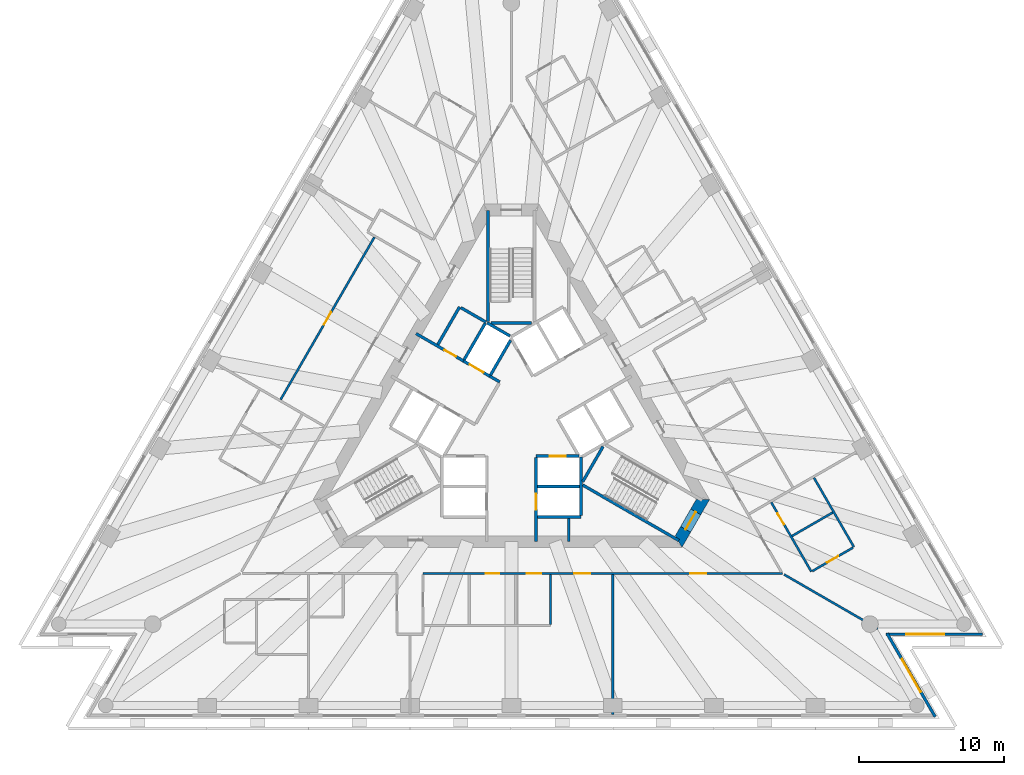
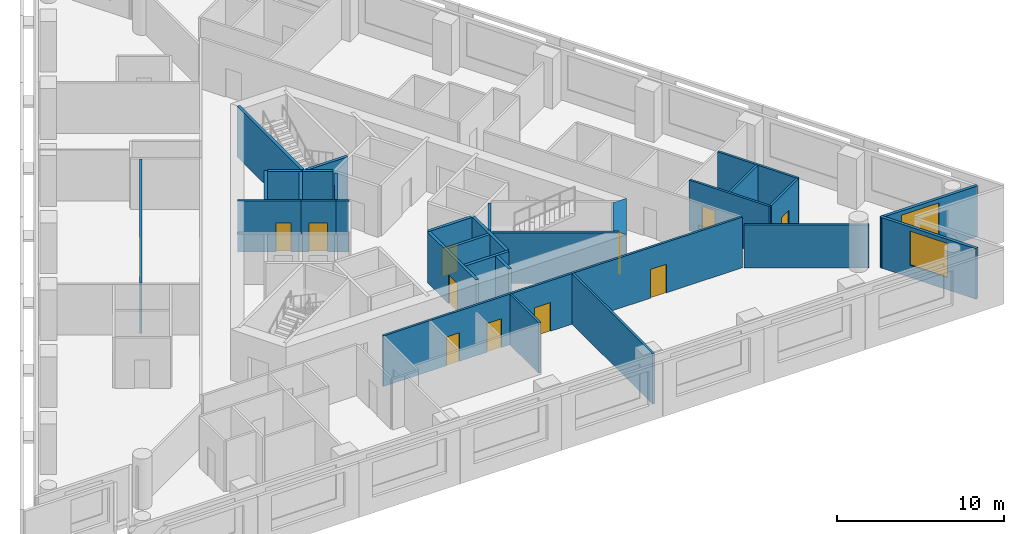
# One storey, part 5 of 10: 30 walls, 12 doors, 2 windows, 14 openings.
"""IFC4 building model written with IfcOpenShell, lengths in metres."""

from ifc_helpers import new_model, si_unit, direction, frame, frame_2d, origin, place, context, subcontext, project, spatial, polyline, rectangle, outline, extrude, material, layer, layer_set, layer_usage, type_object, element, fill, save


model = new_model("IFC4")

# Units and contexts
model_context = context("Model", 3, precision=1e-05, world=origin(), true_north=direction((0.0, 1.0)))
body_context = subcontext(model_context, "Body", "Model", "MODEL_VIEW")
ifc_project = project(units=[si_unit("LENGTHUNIT", "METRE"), si_unit("AREAUNIT", "SQUARE_METRE"), si_unit("VOLUMEUNIT", "CUBIC_METRE"), si_unit("PLANEANGLEUNIT", "RADIAN"), si_unit("MASSUNIT", "GRAM", prefix="KILO")], contexts=[model_context])

# Site, building, storey
site_placement = place(None, origin())
site = spatial("IfcSite", under=ifc_project, at=site_placement, CompositionType="ELEMENT")
building_placement = place(site_placement, origin())
building = spatial("IfcBuilding", under=site, at=building_placement, Name="Triada Interchange Tower", CompositionType="ELEMENT")
storey_placement = place(building_placement, frame((0.0, 0.0, 112.300048828125)))
storey = spatial("IfcBuildingStorey", under=building, at=storey_placement, Name="L25", CompositionType="ELEMENT", Elevation=112.300048828125)

# Walls
ifc_material_1 = material(Name="Concrete C30/37", Category="concrete")
ifc_layer_1 = layer(ifc_material_1, 0.199951171875)
ifc_layer_set_1 = layer_set([ifc_layer_1], Name="CORE WALL 200 EI 120")
wall_type_1 = type_object("IfcWallType", Name="CORE WALL 200 EI 120", PredefinedType="SOLIDWALL", material=ifc_layer_set_1)
wall_1_placement = place(storey_placement, frame((1.800048828125, -4.800048828125, 0.0), z_axis=(0.0, 0.0, 1.0), x_axis=(1.0, 0.0, 0.0)))
element("IfcWall", 1, at=wall_1_placement, inside=storey, type_object=wall_type_1, Name="Wall L23 67", PredefinedType="SOLIDWALL", context=body_context, shape_type="SweptSolid", body=[
    extrude(rectangle(XDim=2.89990234375, YDim=0.199951171875, at=frame_2d((1.449951171875, 0.0))), origin(), (0.0, 0.0, 1.0), 3.699951171875),
])
wall_2_placement = place(storey_placement, frame((1.800048828125, -6.89990234375, 0.0), z_axis=(0.0, 0.0, 1.0), x_axis=(1.0, 0.0, 0.0)))
element("IfcWall", 2, at=wall_2_placement, inside=storey, type_object=wall_type_1, Name="Wall L23 70", PredefinedType="SOLIDWALL", context=body_context, shape_type="SweptSolid", body=[
    extrude(rectangle(XDim=3.0, YDim=0.199951171875, at=frame_2d((1.5, 0.0))), origin(), (0.0, 0.0, 1.0), 3.699951171875),
])

# Wall, opening, door
wall_3_placement = place(storey_placement, frame((1.702880859375, -2.699951171875, 0.0), z_axis=(0.0, 0.0, 1.0), x_axis=(1.0, 0.0, 0.0)))
wall_3 = element("IfcWall", 3, at=wall_3_placement, inside=storey, type_object=wall_type_1, Name="Wall L23 73", PredefinedType="SOLIDWALL", context=body_context, shape_type="SweptSolid", body=[
    extrude(rectangle(XDim=2.97314453125, YDim=0.199951171875, at=frame_2d((1.486572265625, 0.0))), origin(), (0.0, 0.0, 1.0), 3.699951171875),
])
opening_1_placement = place(wall_3_placement, frame((0.93603515625, 0.0, 0.0)))
opening_1 = element("IfcOpeningElement", 4, at=opening_1_placement, cuts=wall_3, Name="Opening LD-LR1", PredefinedType="OPENING", context=body_context, shape_type="SweptSolid", body=[
    extrude(rectangle(XDim=1.10009765625, YDim=2.10009765625, at=frame_2d((0.550048828125, 1.050048828125))), frame((0.0, 0.10986328125, 0.0), z_axis=(0.0, -1.0, 0.0), x_axis=(1.0, 0.0, 0.0)), (0.0, 0.0, 1.0), 0.219970703125),
])
ifc_material_2 = material(Name="Steel S235 door leaf", Category="steel")
door_type_1 = type_object("IfcDoorType", Name="LIFT LANDING DOOR 1100 EI 120", OperationType="SLIDING_TO_LEFT", PredefinedType="DOOR", material=ifc_material_2)
door_1_placement = place(opening_1_placement, origin())
door_1 = element("IfcDoor", 5, at=door_1_placement, inside=storey, type_object=door_type_1, Name="LR1 landing door L25", OperationType="SLIDING_TO_LEFT", OverallHeight=2.10009765625, OverallWidth=1.10009765625, PredefinedType="DOOR", context=body_context, shape_type="SweptSolid", body=[
    extrude(rectangle(XDim=1.10009765625, YDim=2.10009765625, at=frame_2d((0.550048828125, 1.050048828125))), frame((0.0, 0.02490234375, 0.0), z_axis=(0.0, -1.0, 0.0), x_axis=(1.0, 0.0, 0.0)), (0.0, 0.0, 1.0), 0.050048828125),
])
fill(opening_1, door_1)

wall_4_placement = place(storey_placement, frame((1.699951171875, -8.580078125, 0.0), z_axis=(0.0, 0.0, 1.0), x_axis=(0.0, 1.0, 0.0)))
wall_4 = element("IfcWall", 6, at=wall_4_placement, inside=storey, type_object=wall_type_1, Name="Wall L23 78", PredefinedType="SOLIDWALL", context=body_context, shape_type="SweptSolid", body=[
    extrude(rectangle(XDim=5.777099609375, YDim=0.199951171875, at=frame_2d((2.888671875, 0.0))), origin(), (0.0, 0.0, 1.0), 3.699951171875),
])
opening_2_placement = place(wall_4_placement, frame((2.179931640625, 0.0, 0.0)))
opening_2 = element("IfcOpeningElement", 7, at=opening_2_placement, cuts=wall_4, Name="Opening LD-LR2", PredefinedType="OPENING", context=body_context, shape_type="SweptSolid", body=[
    extrude(rectangle(XDim=1.10009765625, YDim=2.10009765625, at=frame_2d((0.550048828125, 1.050048828125))), frame((0.0, 0.10986328125, 0.0), z_axis=(0.0, -1.0, 0.0), x_axis=(1.0, 0.0, 0.0)), (0.0, 0.0, 1.0), 0.219970703125),
])
door_2_placement = place(opening_2_placement, origin())
door_2 = element("IfcDoor", 8, at=door_2_placement, inside=storey, type_object=door_type_1, Name="LR2 landing door L25", OperationType="SLIDING_TO_LEFT", OverallHeight=2.10009765625, OverallWidth=1.10009765625, PredefinedType="DOOR", context=body_context, shape_type="SweptSolid", body=[
    extrude(rectangle(XDim=1.10009765625, YDim=2.10009765625, at=frame_2d((0.550048828125, 1.050048828125))), frame((0.0, 0.02490234375, 0.0), z_axis=(0.0, -1.0, 0.0), x_axis=(1.0, 0.0, 0.0)), (0.0, 0.0, 1.0), 0.050048828125),
])
fill(opening_2, door_2)

# Wall
wall_5_placement = place(storey_placement, frame((4.800048828125, -6.800048828125, 0.0), z_axis=(0.0, 0.0, 1.0), x_axis=(0.0, 1.0, 0.0)))
element("IfcWall", 9, at=wall_5_placement, inside=storey, type_object=wall_type_1, Name="Wall L23 79", PredefinedType="SOLIDWALL", context=body_context, shape_type="SweptSolid", body=[
    extrude(rectangle(XDim=4.029052734375, YDim=0.199951171875, at=frame_2d((2.0146484375, 0.0))), origin(), (0.0, 0.0, 1.0), 3.699951171875),
])

# Wall, opening, door
ifc_layer_2 = layer(ifc_material_1, 0.199951171875)
ifc_layer_set_2 = layer_set([ifc_layer_2], Name="CORE WALL 200 EI 180")
wall_type_2 = type_object("IfcWallType", Name="CORE WALL 200 EI 180", PredefinedType="SOLIDWALL", material=ifc_layer_set_2)
wall_6_placement = place(storey_placement, frame((-6.580078125, 5.761962890625, 0.0), z_axis=(0.0, 0.0, 1.0), x_axis=(0.866029704776, -0.49999255039, 0.0)))
wall_6 = element("IfcWall", 10, at=wall_6_placement, inside=storey, type_object=wall_type_2, Name="Wall L23 88", PredefinedType="SOLIDWALL", context=body_context, shape_type="SweptSolid", body=[
    extrude(rectangle(XDim=3.78173828125, YDim=0.199951171875, at=frame_2d((1.890869140625, 0.0))), origin(), (0.0, 0.0, 1.0), 3.699951171875),
])
opening_3_placement = place(wall_6_placement, frame((2.279052734375, 0.0, 0.0)))
opening_3 = element("IfcOpeningElement", 11, at=opening_3_placement, cuts=wall_6, Name="Opening D23-10", PredefinedType="OPENING", context=body_context, shape_type="SweptSolid", body=[
    extrude(rectangle(XDim=0.89990234375, YDim=2.10009765625, at=frame_2d((0.449951171875, 1.050048828125))), frame((0.0, 0.10986328125, 0.0), z_axis=(0.0, -1.0, 0.0), x_axis=(1.0, 0.0, 0.0)), (0.0, 0.0, 1.0), 0.219970703125),
])
door_type_2 = type_object("IfcDoorType", Name="SERVICE DOOR 900 EI2 90-C5S200", OperationType="NOTDEFINED", PredefinedType="DOOR", material=ifc_material_2)
door_3_placement = place(opening_3_placement, origin())
door_3 = element("IfcDoor", 12, at=door_3_placement, inside=storey, type_object=door_type_2, Name="Door D23-10 L25", OperationType="SINGLE_SWING_LEFT", OverallHeight=2.10009765625, OverallWidth=0.89990234375, PredefinedType="DOOR", context=body_context, shape_type="SweptSolid", body=[
    extrude(rectangle(XDim=0.89990234375, YDim=2.10009765625, at=frame_2d((0.449951171875, 1.050048828125))), frame((0.0, 0.02490234375, 0.0), z_axis=(0.0, -1.0, 0.0), x_axis=(1.0, 0.0, 0.0)), (0.0, 0.0, 1.0), 0.050048828125),
])
fill(opening_3, door_3)

# Walls
wall_7_placement = place(storey_placement, frame((-1.488037109375, 2.822021484375, 0.0), z_axis=(0.0, 0.0, 1.0), x_axis=(0.866236612152, -0.499633997809, 0.0)))
element("IfcWall", 13, at=wall_7_placement, inside=storey, type_object=wall_type_2, Name="Wall L23 89", PredefinedType="SOLIDWALL", context=body_context, shape_type="SweptSolid", body=[
    extrude(rectangle(XDim=0.79638671875, YDim=0.199951171875, at=frame_2d((0.398193359375, 0.0))), origin(), (0.0, 0.0, 1.0), 3.699951171875),
])
wall_8_placement = place(storey_placement, frame((-5.075927734375, 5.009033203125, 0.0), z_axis=(0.0, 0.0, 1.0), x_axis=(0.50002537861, 0.866010750942, 0.0)))
element("IfcWall", 14, at=wall_8_placement, inside=storey, type_object=wall_type_2, Name="Wall L23 90", PredefinedType="SOLIDWALL", context=body_context, shape_type="SweptSolid", body=[
    extrude(rectangle(XDim=2.999755859375, YDim=0.199951171875, at=frame_2d((1.5, 0.0))), origin(), (0.0, 0.0, 1.0), 3.699951171875),
])
wall_9_placement = place(storey_placement, frame((-3.489013671875, 7.556884765625, 0.0), z_axis=(0.0, 0.0, 1.0), x_axis=(0.866010750942, -0.50002537861, 0.0)))
element("IfcWall", 15, at=wall_9_placement, inside=storey, type_object=wall_type_2, Name="Wall L23 91", PredefinedType="SOLIDWALL", context=body_context, shape_type="SweptSolid", body=[
    extrude(rectangle(XDim=2.0, YDim=0.199951171875, at=frame_2d((1.0, 0.0))), origin(), (0.0, 0.0, 1.0), 3.699951171875),
])

# Wall, opening, door
wall_10_placement = place(storey_placement, frame((-3.30908203125, 3.873046875, 0.0), z_axis=(0.0, 0.0, 1.0), x_axis=(0.866098583652, -0.499873227325, 0.0)))
wall_10 = element("IfcWall", 16, at=wall_10_placement, inside=storey, type_object=wall_type_2, Name="Shaft wall FF2 L23 97", PredefinedType="SOLIDWALL", context=body_context, shape_type="SweptSolid", body=[
    extrude(rectangle(XDim=2.1025390625, YDim=0.199951171875, at=frame_2d((1.05126953125, 0.0))), origin(), (0.0, 0.0, 1.0), 3.699951171875),
])
opening_4_placement = place(wall_10_placement, frame((0.501953125, 0.0, 0.0)))
opening_4 = element("IfcOpeningElement", 17, at=opening_4_placement, cuts=wall_10, Name="Opening LD-FF2", PredefinedType="OPENING", context=body_context, shape_type="SweptSolid", body=[
    extrude(rectangle(XDim=1.10009765625, YDim=2.10009765625, at=frame_2d((0.550048828125, 1.050048828125))), frame((0.0, 0.10986328125, 0.0), z_axis=(0.0, -1.0, 0.0), x_axis=(1.0, 0.0, 0.0)), (0.0, 0.0, 1.0), 0.219970703125),
])
door_4_placement = place(opening_4_placement, origin())
door_4 = element("IfcDoor", 18, at=door_4_placement, inside=storey, type_object=door_type_1, Name="FF2 landing door L25", OperationType="SLIDING_TO_LEFT", OverallHeight=2.10009765625, OverallWidth=1.10009765625, PredefinedType="DOOR", context=body_context, shape_type="SweptSolid", body=[
    extrude(rectangle(XDim=1.10009765625, YDim=2.10009765625, at=frame_2d((0.550048828125, 1.050048828125))), frame((0.0, 0.02490234375, 0.0), z_axis=(0.0, -1.0, 0.0), x_axis=(1.0, 0.0, 0.0)), (0.0, 0.0, 1.0), 0.050048828125),
])
fill(opening_4, door_4)

# Walls
wall_11_placement = place(storey_placement, frame((-3.257080078125, 3.958984375, 0.0), z_axis=(0.0, 0.0, 1.0), x_axis=(0.50012328804, 0.865954211699, 0.0)))
element("IfcWall", 19, at=wall_11_placement, inside=storey, type_object=wall_type_2, Name="Shaft wall FF2 L23 98", PredefinedType="SOLIDWALL", context=body_context, shape_type="SweptSolid", body=[
    extrude(rectangle(XDim=2.899658203125, YDim=0.199951171875, at=frame_2d((1.44970703125, 0.0))), origin(), (0.0, 0.0, 1.0), 3.699951171875),
])
wall_12_placement = place(storey_placement, frame((-1.669921875, 6.507080078125, 0.0), z_axis=(0.0, 0.0, 1.0), x_axis=(0.865941441609, -0.500145398563, 0.0)))
element("IfcWall", 20, at=wall_12_placement, inside=storey, type_object=wall_type_2, Name="Shaft wall FF2 L23 99", PredefinedType="SOLIDWALL", context=body_context, shape_type="SweptSolid", body=[
    extrude(rectangle(XDim=1.8154296875, YDim=0.199951171875, at=frame_2d((0.90771484375, 0.0))), origin(), (0.0, 0.0, 1.0), 3.699951171875),
])
wall_13_placement = place(storey_placement, frame((-1.43798828125, 2.908935546875, 0.0), z_axis=(0.0, 0.0, 1.0), x_axis=(0.499829630636, 0.866123744241, 0.0)))
element("IfcWall", 21, at=wall_13_placement, inside=storey, type_object=wall_type_2, Name="Shaft wall FF2 L23 100", PredefinedType="SOLIDWALL", context=body_context, shape_type="SweptSolid", body=[
    extrude(rectangle(XDim=2.7607421875, YDim=0.199951171875, at=frame_2d((1.38037109375, 0.0))), origin(), (0.0, 0.0, 1.0), 3.699951171875),
])
ifc_layer_3 = layer(ifc_material_1, 0.199951171875)
ifc_layer_set_3 = layer_set([ifc_layer_3], Name="CORE WALL 200 EI 90")
wall_type_3 = type_object("IfcWallType", Name="CORE WALL 200 EI 90", PredefinedType="SOLIDWALL", material=ifc_layer_set_3)
wall_14_placement = place(storey_placement, frame((3.966064453125, -8.580078125, 0.0), z_axis=(0.0, 0.0, 1.0), x_axis=(0.0, 1.0, 0.0)))
element("IfcWall", 22, at=wall_14_placement, inside=storey, type_object=wall_type_3, Name="Wall L23 101", PredefinedType="SOLIDWALL", context=body_context, shape_type="SweptSolid", body=[
    extrude(rectangle(XDim=1.580078125, YDim=0.199951171875, at=frame_2d((0.7900390625, 0.0))), origin(), (0.0, 0.0, 1.0), 3.699951171875),
])
ifc_layer_4 = layer(ifc_material_1, 0.199951171875)
ifc_layer_set_4 = layer_set([ifc_layer_4], Name="CORE WALL 200 REI 240")
wall_type_4 = type_object("IfcWallType", Name="CORE WALL 200 REI 240", PredefinedType="SOLIDWALL", material=ifc_layer_set_4)
wall_15_placement = place(storey_placement, frame((-1.39990234375, 6.5, 0.0), z_axis=(0.0, 0.0, 1.0), x_axis=(1.0, 0.0, 0.0)))
element("IfcWall", 23, at=wall_15_placement, inside=storey, type_object=wall_type_4, Name="Wall L23 107", PredefinedType="SOLIDWALL", context=body_context, shape_type="SweptSolid", body=[
    extrude(rectangle(XDim=2.7998046875, YDim=0.199951171875, at=frame_2d((1.39990234375, 0.0))), origin(), (0.0, 0.0, 1.0), 3.699951171875),
])
for number, where, z_axis, x_axis, name in (
    (24, (-1.60009765625, 6.614990234375, 0.0), (0.0, 0.0, 1.0), (0.0, 1.0, 0.0), "Wall L23 108"),
    (25, (4.928955078125, -4.693115234375, 0.0), (0.0, 0.0, 1.0), (0.866005769735, -0.50003400563, 0.0), "Wall L23 109"),
):
    element("IfcWall", number, at=place(storey_placement, frame(where, z_axis=z_axis, x_axis=x_axis)), inside=storey, type_object=wall_type_4, Name=name, PredefinedType="SOLIDWALL", context=body_context, shape_type="SweptSolid", body=[
        extrude(rectangle(XDim=7.6650390625, YDim=0.199951171875, at=frame_2d((3.83251953125, 0.0))), origin(), (0.0, 0.0, 1.0), 3.699951171875),
    ])
wall_16_placement = place(storey_placement, frame((4.928955078125, -4.4619140625, 0.0), z_axis=(0.0, 0.0, 1.0), x_axis=(0.500200581029, 0.865909567298, 0.0)))
element("IfcWall", 26, at=wall_16_placement, inside=storey, type_object=wall_type_4, Name="Wall L23 110", PredefinedType="SOLIDWALL", context=body_context, shape_type="SweptSolid", body=[
    extrude(rectangle(XDim=2.799072265625, YDim=0.199951171875, at=frame_2d((1.3994140625, 0.0))), origin(), (0.0, 0.0, 1.0), 3.699951171875),
])

# Wall, opening, door
ifc_material_3 = material(Name="Concrete C60/75", Category="concrete")
ifc_layer_5 = layer(ifc_material_3, 0.800048828125)
ifc_layer_set_5 = layer_set([ifc_layer_5], Name="Core wall B 800")
wall_type_5 = type_object("IfcWallType", Name="Core wall B 800", PredefinedType="SHEAR", material=ifc_layer_set_5)
wall_17_placement = place(storey_placement, frame((11.547119140625, -8.60009765625, -0.300048828125), z_axis=(0.0, 0.0, 1.0), x_axis=(0.49987182685, 0.866099391942, 0.0)))
wall_17 = element("IfcWall", 27, at=wall_17_placement, inside=storey, type_object=wall_type_5, Name="Core wall WB05 L25", PredefinedType="SHEAR", context=body_context, shape_type="SweptSolid", body=[
    extrude(outline(polyline([(-0.23095703125, -0.39990234375), (1.674072265625, -0.39990234375), (3.5791015625, -0.39990234375), (3.117919921875, 0.39990234375), (1.67431640625, 0.39990234375), (0.23095703125, 0.39990234375), (-0.23095703125, -0.39990234375)])), origin(), (0.0, 0.0, 1.0), 4.0),
])
opening_5_placement = place(wall_17_placement, frame((0.97412109375, 0.0, 0.300048828125)))
opening_5 = element("IfcOpeningElement", 28, at=opening_5_placement, cuts=wall_17, Name="Opening D23-45", PredefinedType="OPENING", context=body_context, shape_type="SweptSolid", body=[
    extrude(rectangle(XDim=1.39990234375, YDim=2.10009765625, at=frame_2d((0.699951171875, 1.050048828125))), frame((0.0, 0.409912109375, 0.0), z_axis=(0.0, -1.0, 0.0), x_axis=(1.0, 0.0, 0.0)), (0.0, 0.0, 1.0), 0.820068359375),
])
door_type_3 = type_object("IfcDoorType", Name="STAIR DOOR 1400 EI2 90-C5S200", OperationType="DOUBLE_DOOR_SINGLE_SWING", PredefinedType="DOOR", material=ifc_material_2)
door_5_placement = place(opening_5_placement, origin())
door_5 = element("IfcDoor", 29, at=door_5_placement, inside=storey, type_object=door_type_3, Name="Door D23-45 L25", OperationType="DOUBLE_DOOR_SINGLE_SWING", OverallHeight=2.10009765625, OverallWidth=1.39990234375, PredefinedType="DOOR", context=body_context, shape_type="SweptSolid", body=[
    extrude(rectangle(XDim=1.39990234375, YDim=2.10009765625, at=frame_2d((0.699951171875, 1.050048828125))), frame((0.0, 0.02490234375, 0.0), z_axis=(0.0, -1.0, 0.0), x_axis=(1.0, 0.0, 0.0)), (0.0, 0.0, 1.0), 0.050048828125),
])
fill(opening_5, door_5)

# Wall, opening, window
ifc_material_4 = material(Name="Cement board")
ifc_layer_6 = layer(ifc_material_4, 0.02001953125, Name="Cement board cladding")
ifc_material_5 = material(Name="Sheathing board")
ifc_layer_7 = layer(ifc_material_5, 0.014892578125, Name="Sheathing board")
ifc_material_6 = material(Name="Mineral wool")
ifc_layer_8 = layer(ifc_material_6, 0.14990234375, Name="Mineral wool between steel studs")
ifc_material_7 = material(Name="Gypsum board")
ifc_layer_9 = layer(ifc_material_7, 0.014892578125, Name="Plasterboard lining")
ifc_layer_set_6 = layer_set([ifc_layer_6, ifc_layer_7, ifc_layer_8, ifc_layer_9], Name="External wall 200")
ifc_layer_usage = layer_usage(ifc_layer_set_6, "AXIS2", "POSITIVE", -0.10009765625)
wall_type_6 = type_object("IfcWallType", Name="External wall 200", PredefinedType="ELEMENTEDWALL", material=ifc_layer_set_6)
wall_18_placement = place(storey_placement, frame((29.264892578125, -20.695068359375, 0.0), z_axis=(0.0, 0.0, 1.0), x_axis=(-0.499933237632, 0.866063945624, 0.0)))
wall_18 = element("IfcWall", 30, at=wall_18_placement, inside=storey, type_object=wall_type_6, material=ifc_layer_usage, Name="External wall L25 SE-1", PredefinedType="ELEMENTEDWALL", context=body_context, shape_type="SweptSolid", body=[
    extrude(rectangle(XDim=6.65087890625, YDim=0.199951171875, at=frame_2d((3.325439453125, 0.0))), origin(), (0.0, 0.0, 1.0), 3.699951171875),
])
opening_6_placement = place(wall_18_placement, frame((1.989990234375, 0.0, 0.89990234375)))
opening_6 = element("IfcOpeningElement", 31, at=opening_6_placement, cuts=wall_18, Name="Opening WB19", PredefinedType="OPENING", context=body_context, shape_type="SweptSolid", body=[
    extrude(rectangle(XDim=2.60009765625, YDim=2.5, at=frame_2d((1.300048828125, 1.25))), frame((0.0, 0.10986328125, 0.0), z_axis=(0.0, -1.0, 0.0), x_axis=(1.0, 0.0, 0.0)), (0.0, 0.0, 1.0), 0.219970703125),
])
ifc_material_8 = material(Name="Double glazed aluminium window", Category="aluminium")
window_type = type_object("IfcWindowType", Name="Ribbon window B pocket", PartitioningType="SINGLE_PANEL", PredefinedType="WINDOW", material=ifc_material_8)
window_1_placement = place(opening_6_placement, origin())
window_1 = element("IfcWindow", 32, at=window_1_placement, inside=storey, type_object=window_type, Name="Window L25 SE-1 1", OverallHeight=2.5, OverallWidth=2.60009765625, PartitioningType="SINGLE_PANEL", PredefinedType="WINDOW", context=body_context, shape_type="SweptSolid", body=[
    extrude(rectangle(XDim=2.60009765625, YDim=2.5, at=frame_2d((1.300048828125, 1.25))), frame((0.0, 0.030029296875, 0.0), z_axis=(0.0, -1.0, 0.0), x_axis=(1.0, 0.0, 0.0)), (0.0, 0.0, 1.0), 0.06005859375),
])
fill(opening_6, window_1)

wall_19_placement = place(storey_placement, frame((25.885009765625, -14.99609375, 0.0), z_axis=(0.0, 0.0, 1.0), x_axis=(1.0, 0.0, 0.0)))
wall_19 = element("IfcWall", 33, at=wall_19_placement, inside=storey, type_object=wall_type_6, material=ifc_layer_usage, Name="External wall L25 SE-2", PredefinedType="ELEMENTEDWALL", context=body_context, shape_type="SweptSolid", body=[
    extrude(rectangle(XDim=6.64990234375, YDim=0.199951171875, at=frame_2d((3.324951171875, 0.0))), origin(), (0.0, 0.0, 1.0), 3.699951171875),
])
opening_7_placement = place(wall_19_placement, frame((1.389892578125, 0.0, 0.89990234375)))
opening_7 = element("IfcOpeningElement", 34, at=opening_7_placement, cuts=wall_19, Name="Opening WB20", PredefinedType="OPENING", context=body_context, shape_type="SweptSolid", body=[
    extrude(rectangle(XDim=2.60009765625, YDim=2.5, at=frame_2d((1.300048828125, 1.25))), frame((0.0, 0.10986328125, 0.0), z_axis=(0.0, -1.0, 0.0), x_axis=(1.0, 0.0, 0.0)), (0.0, 0.0, 1.0), 0.219970703125),
])
window_2_placement = place(opening_7_placement, origin())
window_2 = element("IfcWindow", 35, at=window_2_placement, inside=storey, type_object=window_type, Name="Window L25 SE-2 1", OverallHeight=2.5, OverallWidth=2.60009765625, PartitioningType="SINGLE_PANEL", PredefinedType="WINDOW", context=body_context, shape_type="SweptSolid", body=[
    extrude(rectangle(XDim=2.60009765625, YDim=2.5, at=frame_2d((1.300048828125, 1.25))), frame((0.0, 0.030029296875, 0.0), z_axis=(0.0, -1.0, 0.0), x_axis=(1.0, 0.0, 0.0)), (0.0, 0.0, 1.0), 0.06005859375),
])
fill(opening_7, window_2)

# Wall, openings, doors
ifc_material_9 = material(Name="Gypsum board partition")
ifc_layer_10 = layer(ifc_material_9, 0.14990234375)
ifc_layer_set_7 = layer_set([ifc_layer_10], Name="PARTITION 150 EI 180")
wall_type_7 = type_object("IfcWallType", Name="PARTITION 150 EI 180", PredefinedType="PARTITIONING", material=ifc_layer_set_7)
wall_20_placement = place(storey_placement, frame((-6.10107421875, -10.800048828125, 0.0), z_axis=(0.0, 0.0, 1.0), x_axis=(1.0, 0.0, 0.0)))
wall_20 = element("IfcWall", 36, at=wall_20_placement, inside=storey, type_object=wall_type_7, Name="Wall L23 5", PredefinedType="PARTITIONING", context=body_context, shape_type="SweptSolid", body=[
    extrude(rectangle(XDim=24.80712890625, YDim=0.14990234375, at=frame_2d((12.403564453125, 0.0))), origin(), (0.0, 0.0, 1.0), 3.699951171875),
])
opening_8_placement = place(wall_20_placement, frame((10.448974609375, 0.0, 0.0)))
opening_8 = element("IfcOpeningElement", 37, at=opening_8_placement, cuts=wall_20, Name="Opening D23-16", PredefinedType="OPENING", context=body_context, shape_type="SweptSolid", body=[
    extrude(rectangle(XDim=1.10009765625, YDim=2.10009765625, at=frame_2d((0.550048828125, 1.050048828125))), frame((0.0, 0.0849609375, 0.0), z_axis=(0.0, -1.0, 0.0), x_axis=(1.0, 0.0, 0.0)), (0.0, 0.0, 1.0), 0.169921875),
])
opening_9_placement = place(wall_20_placement, frame((4.34912109375, 0.0, 0.0)))
opening_9 = element("IfcOpeningElement", 38, at=opening_9_placement, cuts=wall_20, Name="Opening D23-18", PredefinedType="OPENING", context=body_context, shape_type="SweptSolid", body=[
    extrude(rectangle(XDim=0.89990234375, YDim=2.10009765625, at=frame_2d((0.449951171875, 1.050048828125))), frame((0.0, 0.0849609375, 0.0), z_axis=(0.0, -1.0, 0.0), x_axis=(1.0, 0.0, 0.0)), (0.0, 0.0, 1.0), 0.169921875),
])
opening_10_placement = place(wall_20_placement, frame((7.14892578125, 0.0, 0.0)))
opening_10 = element("IfcOpeningElement", 39, at=opening_10_placement, cuts=wall_20, Name="Opening D23-19", PredefinedType="OPENING", context=body_context, shape_type="SweptSolid", body=[
    extrude(rectangle(XDim=1.0, YDim=2.10009765625, at=frame_2d((0.5, 1.050048828125))), frame((0.0, 0.0849609375, 0.0), z_axis=(0.0, -1.0, 0.0), x_axis=(1.0, 0.0, 0.0)), (0.0, 0.0, 1.0), 0.169921875),
])
opening_11_placement = place(wall_20_placement, frame((18.452880859375, 0.0, 0.0)))
opening_11 = element("IfcOpeningElement", 40, at=opening_11_placement, cuts=wall_20, Name="Opening D23-20", PredefinedType="OPENING", context=body_context, shape_type="SweptSolid", body=[
    extrude(rectangle(XDim=1.10009765625, YDim=2.10009765625, at=frame_2d((0.550048828125, 1.050048828125))), frame((0.0, 0.0849609375, 0.0), z_axis=(0.0, -1.0, 0.0), x_axis=(1.0, 0.0, 0.0)), (0.0, 0.0, 1.0), 0.169921875),
])
door_type_4 = type_object("IfcDoorType", Name="ROOM DOOR 1000 EI2 90-C5S200", OperationType="NOTDEFINED", PredefinedType="DOOR", material=ifc_material_2)
door_6_placement = place(opening_10_placement, origin())
door_6 = element("IfcDoor", 41, at=door_6_placement, inside=storey, type_object=door_type_4, Name="Door D23-19 L25", OperationType="SINGLE_SWING_RIGHT", OverallHeight=2.10009765625, OverallWidth=1.0, PredefinedType="DOOR", context=body_context, shape_type="SweptSolid", body=[
    extrude(rectangle(XDim=1.0, YDim=2.10009765625, at=frame_2d((0.5, 1.050048828125))), frame((0.0, 0.02490234375, 0.0), z_axis=(0.0, -1.0, 0.0), x_axis=(1.0, 0.0, 0.0)), (0.0, 0.0, 1.0), 0.050048828125),
])
fill(opening_10, door_6)
door_type_5 = type_object("IfcDoorType", Name="ROOM DOOR 900 EI2 90-C5S200", OperationType="NOTDEFINED", PredefinedType="DOOR", material=ifc_material_2)
door_7_placement = place(opening_9_placement, origin())
door_7 = element("IfcDoor", 42, at=door_7_placement, inside=storey, type_object=door_type_5, Name="Door D23-18 L25", OperationType="SINGLE_SWING_RIGHT", OverallHeight=2.10009765625, OverallWidth=0.89990234375, PredefinedType="DOOR", context=body_context, shape_type="SweptSolid", body=[
    extrude(rectangle(XDim=0.89990234375, YDim=2.10009765625, at=frame_2d((0.449951171875, 1.050048828125))), frame((0.0, 0.02490234375, 0.0), z_axis=(0.0, -1.0, 0.0), x_axis=(1.0, 0.0, 0.0)), (0.0, 0.0, 1.0), 0.050048828125),
])
fill(opening_9, door_7)
door_type_6 = type_object("IfcDoorType", Name="TENANCY ENTRANCE DOOR 1100 EI2 90-C5S200", OperationType="NOTDEFINED", PredefinedType="DOOR", material=ifc_material_2)
door_8_placement = place(opening_8_placement, origin())
door_8 = element("IfcDoor", 43, at=door_8_placement, inside=storey, type_object=door_type_6, Name="Door D23-16 L25", OperationType="SINGLE_SWING_RIGHT", OverallHeight=2.10009765625, OverallWidth=1.10009765625, PredefinedType="DOOR", context=body_context, shape_type="SweptSolid", body=[
    extrude(rectangle(XDim=1.10009765625, YDim=2.10009765625, at=frame_2d((0.550048828125, 1.050048828125))), frame((0.0, 0.02490234375, 0.0), z_axis=(0.0, -1.0, 0.0), x_axis=(1.0, 0.0, 0.0)), (0.0, 0.0, 1.0), 0.050048828125),
])
fill(opening_8, door_8)
door_9_placement = place(opening_11_placement, origin())
door_9 = element("IfcDoor", 44, at=door_9_placement, inside=storey, type_object=door_type_6, Name="Door D23-20 L25", OperationType="SINGLE_SWING_LEFT", OverallHeight=2.10009765625, OverallWidth=1.10009765625, PredefinedType="DOOR", context=body_context, shape_type="SweptSolid", body=[
    extrude(rectangle(XDim=1.10009765625, YDim=2.10009765625, at=frame_2d((0.550048828125, 1.050048828125))), frame((0.0, 0.02490234375, 0.0), z_axis=(0.0, -1.0, 0.0), x_axis=(1.0, 0.0, 0.0)), (0.0, 0.0, 1.0), 0.050048828125),
])
fill(opening_11, door_9)

# Walls
wall_21_placement = place(storey_placement, frame((2.697998046875, -14.324951171875, 0.0), z_axis=(0.0, 0.0, 1.0), x_axis=(0.0, 1.0, 0.0)))
element("IfcWall", 45, at=wall_21_placement, inside=storey, type_object=wall_type_7, Name="Wall L23 25", PredefinedType="PARTITIONING", context=body_context, shape_type="SweptSolid", body=[
    extrude(rectangle(XDim=3.449951171875, YDim=0.14990234375, at=frame_2d((1.72509765625, 0.0))), origin(), (0.0, 0.0, 1.0), 3.699951171875),
])
wall_22_placement = place(storey_placement, frame((7.001953125, -20.537109375, 0.0), z_axis=(0.0, 0.0, 1.0), x_axis=(0.0, 1.0, 0.0)))
element("IfcWall", 46, at=wall_22_placement, inside=storey, type_object=wall_type_7, Name="Wall L23 30", PredefinedType="PARTITIONING", context=body_context, shape_type="SweptSolid", body=[
    extrude(rectangle(XDim=9.662109375, YDim=0.14990234375, at=frame_2d((4.8310546875, 0.0))), origin(), (0.0, 0.0, 1.0), 3.699951171875),
])
wall_23_placement = place(storey_placement, frame((18.8359375, -10.8740234375, 0.0), z_axis=(0.0, 0.0, 1.0), x_axis=(0.865999816151, -0.500044316462, 0.0)))
element("IfcWall", 47, at=wall_23_placement, inside=storey, type_object=wall_type_7, Name="Wall L23 41", PredefinedType="PARTITIONING", context=body_context, shape_type="SweptSolid", body=[
    extrude(rectangle(XDim=7.463134765625, YDim=0.14990234375, at=frame_2d((3.7314453125, 0.0))), origin(), (0.0, 0.0, 1.0), 3.14990234375),
])

# Wall, opening, door
ifc_layer_11 = layer(ifc_material_9, 0.14990234375)
ifc_layer_set_8 = layer_set([ifc_layer_11], Name="PARTITION 150 EI 90")
wall_type_8 = type_object("IfcWallType", Name="PARTITION 150 EI 90", PredefinedType="PARTITIONING", material=ifc_layer_set_8)
wall_24_placement = place(storey_placement, frame((-15.93408203125, 1.201904296875, 0.0), z_axis=(0.0, 0.0, 1.0), x_axis=(0.499994937304, 0.866028326714, 0.0)))
wall_24 = element("IfcWall", 48, at=wall_24_placement, inside=storey, type_object=wall_type_8, Name="Wall L23 52", PredefinedType="PARTITIONING", context=body_context, shape_type="SweptSolid", body=[
    extrude(rectangle(XDim=12.952392578125, YDim=0.14990234375, at=frame_2d((6.47607421875, 0.0))), origin(), (0.0, 0.0, 1.0), 3.699951171875),
])
opening_12_placement = place(wall_24_placement, frame((5.97705078125, 0.0, 0.0)))
opening_12 = element("IfcOpeningElement", 49, at=opening_12_placement, cuts=wall_24, Name="Opening D23-38", PredefinedType="OPENING", context=body_context, shape_type="SweptSolid", body=[
    extrude(rectangle(XDim=1.0, YDim=2.10009765625, at=frame_2d((0.5, 1.050048828125))), frame((0.0, 0.0849609375, 0.0), z_axis=(0.0, -1.0, 0.0), x_axis=(1.0, 0.0, 0.0)), (0.0, 0.0, 1.0), 0.169921875),
])
door_type_7 = type_object("IfcDoorType", Name="ROOM DOOR 1000 EI2 45-C5S200", OperationType="NOTDEFINED", PredefinedType="DOOR", material=ifc_material_2)
door_10_placement = place(opening_12_placement, origin())
door_10 = element("IfcDoor", 50, at=door_10_placement, inside=storey, type_object=door_type_7, Name="Door D23-38 L25", OperationType="SINGLE_SWING_LEFT", OverallHeight=2.10009765625, OverallWidth=1.0, PredefinedType="DOOR", context=body_context, shape_type="SweptSolid", body=[
    extrude(rectangle(XDim=1.0, YDim=2.10009765625, at=frame_2d((0.5, 1.050048828125))), frame((0.0, 0.02490234375, 0.0), z_axis=(0.0, -1.0, 0.0), x_axis=(1.0, 0.0, 0.0)), (0.0, 0.0, 1.0), 0.050048828125),
])
fill(opening_12, door_10)

wall_25_placement = place(storey_placement, frame((17.950927734375, -5.89208984375, 0.0), z_axis=(0.0, 0.0, 1.0), x_axis=(0.500083244257, -0.865977337356, 0.0)))
wall_25 = element("IfcWall", 51, at=wall_25_placement, inside=storey, type_object=wall_type_8, Name="Wall L23 59", PredefinedType="PARTITIONING", context=body_context, shape_type="SweptSolid", body=[
    extrude(rectangle(XDim=5.525390625, YDim=0.14990234375, at=frame_2d((2.7626953125, 0.0))), origin(), (0.0, 0.0, 1.0), 3.699951171875),
])
opening_13_placement = place(wall_25_placement, frame((0.875, 0.0, 0.0)))
opening_13 = element("IfcOpeningElement", 52, at=opening_13_placement, cuts=wall_25, Name="Opening D23-22", PredefinedType="OPENING", context=body_context, shape_type="SweptSolid", body=[
    extrude(rectangle(XDim=0.89990234375, YDim=2.10009765625, at=frame_2d((0.449951171875, 1.050048828125))), frame((0.0, 0.0849609375, 0.0), z_axis=(0.0, -1.0, 0.0), x_axis=(1.0, 0.0, 0.0)), (0.0, 0.0, 1.0), 0.169921875),
])
door_type_8 = type_object("IfcDoorType", Name="ROOM DOOR 900 EI2 45-C5S200", OperationType="NOTDEFINED", PredefinedType="DOOR", material=ifc_material_2)
door_11_placement = place(opening_13_placement, origin())
door_11 = element("IfcDoor", 53, at=door_11_placement, inside=storey, type_object=door_type_8, Name="Door D23-22 L25", OperationType="SINGLE_SWING_LEFT", OverallHeight=2.10009765625, OverallWidth=0.89990234375, PredefinedType="DOOR", context=body_context, shape_type="SweptSolid", body=[
    extrude(rectangle(XDim=0.89990234375, YDim=2.10009765625, at=frame_2d((0.449951171875, 1.050048828125))), frame((0.0, 0.02490234375, 0.0), z_axis=(0.0, -1.0, 0.0), x_axis=(1.0, 0.0, 0.0)), (0.0, 0.0, 1.0), 0.050048828125),
])
fill(opening_13, door_11)

# Walls
wall_26_placement = place(storey_placement, frame((19.37890625, -8.215087890625, 0.0), z_axis=(0.0, 0.0, 1.0), x_axis=(0.86599666273, 0.500049777664, 0.0)))
element("IfcWall", 54, at=wall_26_placement, inside=storey, type_object=wall_type_8, Name="Wall L23 61", PredefinedType="PARTITIONING", context=body_context, shape_type="SweptSolid", body=[
    extrude(rectangle(XDim=3.249755859375, YDim=0.14990234375, at=frame_2d((1.625, 0.0))), origin(), (0.0, 0.0, 1.0), 3.699951171875),
])
wall_27_placement = place(storey_placement, frame((20.89599609375, -4.19189453125, 0.0), z_axis=(0.0, 0.0, 1.0), x_axis=(0.499898410332, -0.866084048662, 0.0)))
element("IfcWall", 55, at=wall_27_placement, inside=storey, type_object=wall_type_8, Name="Wall L23 62", PredefinedType="PARTITIONING", context=body_context, shape_type="SweptSolid", body=[
    extrude(rectangle(XDim=5.525146484375, YDim=0.14990234375, at=frame_2d((2.7626953125, 0.0))), origin(), (0.0, 0.0, 1.0), 3.699951171875),
])

# Wall, opening, door
wall_28_placement = place(storey_placement, frame((20.779052734375, -10.639892578125, 0.0), z_axis=(0.0, 0.0, 1.0), x_axis=(0.865977875238, 0.500082312822, 0.0)))
wall_28 = element("IfcWall", 56, at=wall_28_placement, inside=storey, type_object=wall_type_8, Name="Wall L23 63", PredefinedType="PARTITIONING", context=body_context, shape_type="SweptSolid", body=[
    extrude(rectangle(XDim=3.24951171875, YDim=0.14990234375, at=frame_2d((1.624755859375, 0.0))), origin(), (0.0, 0.0, 1.0), 3.699951171875),
])
opening_14_placement = place(wall_28_placement, frame((1.175048828125, 0.0, 0.0)))
opening_14 = element("IfcOpeningElement", 57, at=opening_14_placement, cuts=wall_28, Name="Opening D23-23", PredefinedType="OPENING", context=body_context, shape_type="SweptSolid", body=[
    extrude(rectangle(XDim=0.89990234375, YDim=2.10009765625, at=frame_2d((0.449951171875, 1.050048828125))), frame((0.0, 0.0849609375, 0.0), z_axis=(0.0, -1.0, 0.0), x_axis=(1.0, 0.0, 0.0)), (0.0, 0.0, 1.0), 0.169921875),
])
door_12_placement = place(opening_14_placement, origin())
door_12 = element("IfcDoor", 58, at=door_12_placement, inside=storey, type_object=door_type_8, Name="Door D23-23 L25", OperationType="SINGLE_SWING_LEFT", OverallHeight=2.10009765625, OverallWidth=0.89990234375, PredefinedType="DOOR", context=body_context, shape_type="SweptSolid", body=[
    extrude(rectangle(XDim=0.89990234375, YDim=2.10009765625, at=frame_2d((0.449951171875, 1.050048828125))), frame((0.0, 0.02490234375, 0.0), z_axis=(0.0, -1.0, 0.0), x_axis=(1.0, 0.0, 0.0)), (0.0, 0.0, 1.0), 0.050048828125),
])
fill(opening_14, door_12)

save(model, "model.ifc")
